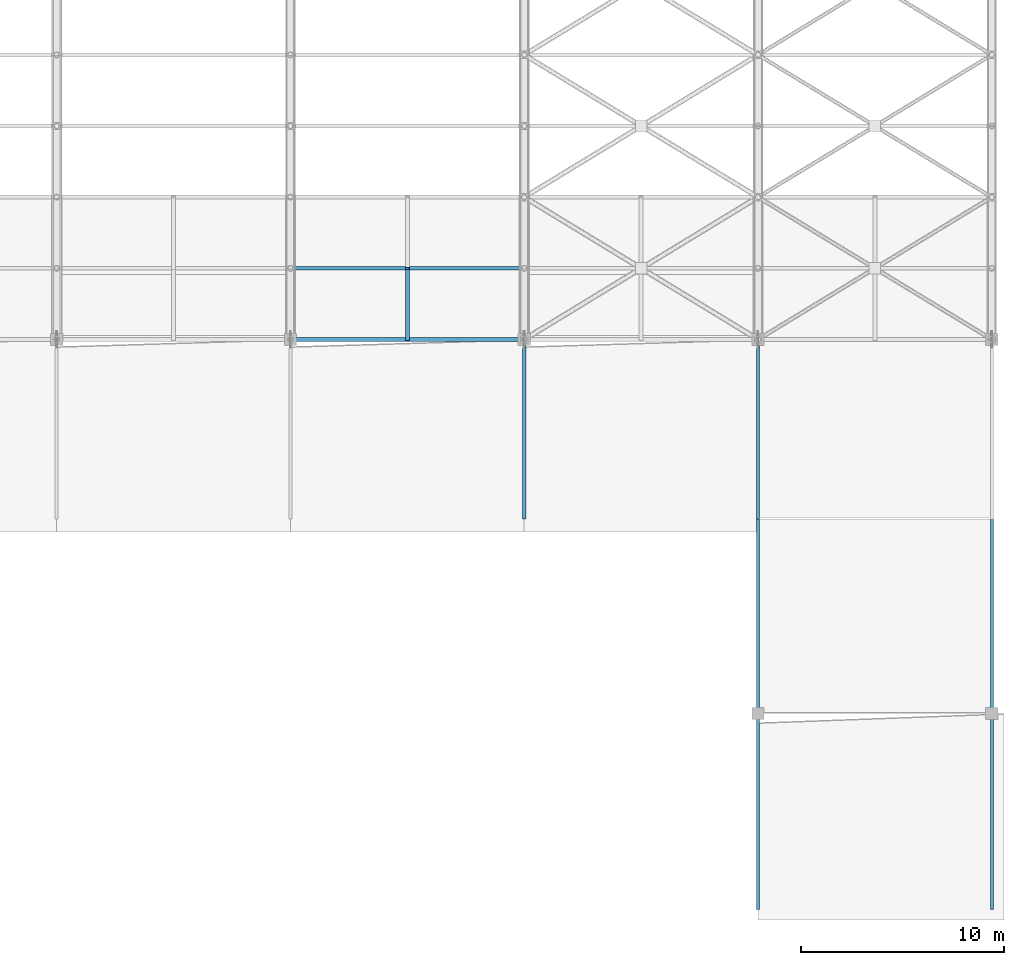
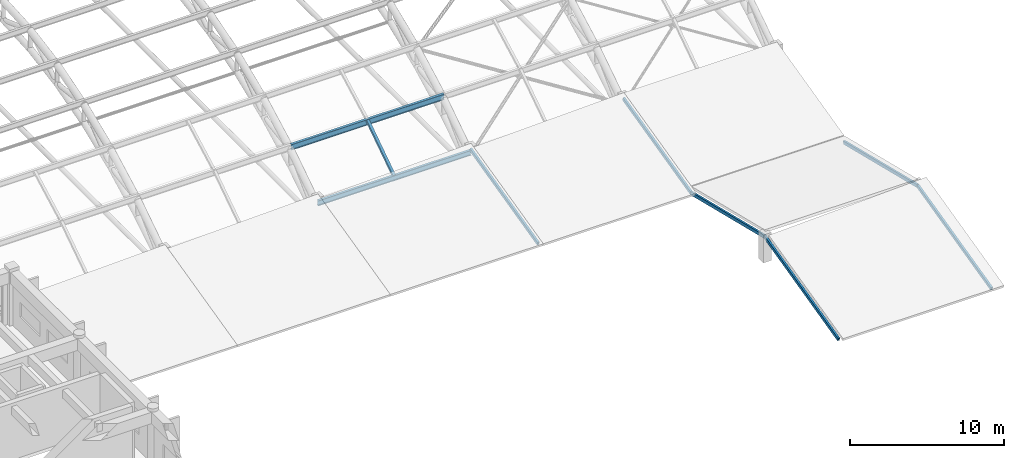
# One storey, part 95 of 154: 9 members.
"""IFC4 building model written with IfcOpenShell, lengths in metres."""

from ifc_helpers import new_model, si_unit, direction, frame, origin, origin_2d, place, context, subcontext, project, spatial, hollow_rectangle, i_section, extrude, material, material_profile, profile_set, type_object, element, save


model = new_model("IFC4")

# Units and contexts
model_context = context("Model", 3, precision=1e-05, world=origin(), true_north=direction((0.0, 1.0)))
body_context = subcontext(model_context, "Body", "Model", "MODEL_VIEW")
ifc_project = project(units=[si_unit("LENGTHUNIT", "METRE"), si_unit("AREAUNIT", "SQUARE_METRE"), si_unit("VOLUMEUNIT", "CUBIC_METRE"), si_unit("PLANEANGLEUNIT", "RADIAN"), si_unit("MASSUNIT", "GRAM", prefix="KILO")], contexts=[model_context])

# Site, building, storey
site_placement = place(None, origin())
site = spatial("IfcSite", under=ifc_project, at=site_placement, CompositionType="ELEMENT")
building_placement = place(site_placement, origin())
building = spatial("IfcBuilding", under=site, at=building_placement, Name="Ologun Quay Terminus", CompositionType="ELEMENT")
storey_placement = place(building_placement, frame((0.0, 0.0, 13.800048828125)))
storey = spatial("IfcBuildingStorey", under=building, at=storey_placement, Name="L03", CompositionType="ELEMENT", Elevation=13.800048828125)

# Members
ifc_material_1 = material(Name="Steel S355", Category="steel")
ifc_material_profile_1 = material_profile(ifc_material_1, hollow_rectangle(XDim=0.199951171875, YDim=0.199951171875, WallThickness=0.008056640625, at=origin_2d()), Name="SHS 200x200x8")
ifc_profile_set_1 = profile_set([ifc_material_profile_1], Name="Steel S355")
member_type_1 = type_object("IfcMemberType", Name="Skylight Cross Transom Bar RHS150", PredefinedType="STRUT", material=ifc_profile_set_1)
member_1_placement = place(storey_placement, frame((155.25, 36.0, 1.50341796875), z_axis=(0.0, 0.830398014247, 0.55717065423), x_axis=(-1.0, 0.0, 0.0)))
element("IfcMember", 1, at=member_1_placement, inside=storey, type_object=member_type_1, Name="SK2 Eave Secondary Rafter B14-P1", PredefinedType="STRUT", context=body_context, shape_type="SweptSolid", body=[
    extrude(hollow_rectangle(XDim=0.199951171875, YDim=0.199951171875, WallThickness=0.008056640625, at=origin_2d()), origin(), (0.0, 0.0, 1.0), 4.21484375),
])
ifc_material_2 = material(Name="Steel S355", Category="steel")
ifc_material_profile_2 = material_profile(ifc_material_2, hollow_rectangle(XDim=0.14990234375, YDim=0.25, WallThickness=0.008056640625, at=origin_2d()), Name="RHS 250x150x8")
ifc_profile_set_2 = profile_set([ifc_material_profile_2], Name="Steel S355")
member_type_2 = type_object("IfcMemberType", Name="Skylight Longitudinal Glazing Bar RHS200", PredefinedType="PURLIN", material=ifc_profile_set_2)
member_2_placement = place(storey_placement, frame((172.5, 8.0, -0.5224609375), z_axis=(0.0, 0.971319437027, 0.237778365821), x_axis=(-1.0, 0.0, 0.0)))
element("IfcMember", 2, at=member_2_placement, inside=storey, type_object=member_type_2, Name="SK1 Inclined Roof Rafter L03-SE-16-BC", PredefinedType="PURLIN", context=body_context, shape_type="SweptSolid", body=[
    extrude(hollow_rectangle(XDim=0.14990234375, YDim=0.25, WallThickness=0.008056640625, at=origin_2d()), origin(), (0.0, 0.0, 1.0), 9.883544921875),
])
member_3_placement = place(storey_placement, frame((172.5, 17.60009765625, 1.82763671875), z_axis=(0.0, 0.97131804038, -0.237784071023), x_axis=(-1.0, 0.0, 0.0)))
element("IfcMember", 3, at=member_3_placement, inside=storey, type_object=member_type_2, Name="SK1 Inclined Roof Rafter L03-SE-16-CD", PredefinedType="PURLIN", context=body_context, shape_type="SweptSolid", body=[
    extrude(hollow_rectangle(XDim=0.14990234375, YDim=0.25, WallThickness=0.008056640625, at=origin_2d()), origin(), (0.0, 0.0, 1.0), 9.88330078125),
])
member_4_placement = place(storey_placement, frame((172.5, 27.199951171875, -0.5224609375), z_axis=(0.0, 0.971430080393, 0.237325933914), x_axis=(-1.0, 0.0, 0.0)))
element("IfcMember", 4, at=member_4_placement, inside=storey, type_object=member_type_2, Name="SK1 Inclined Roof Rafter L03-SE-16-DE", PredefinedType="PURLIN", context=body_context, shape_type="SweptSolid", body=[
    extrude(hollow_rectangle(XDim=0.14990234375, YDim=0.25, WallThickness=0.008056640625, at=origin_2d()), origin(), (0.0, 0.0, 1.0), 9.058837890625),
])
member_5_placement = place(storey_placement, frame((184.0, 8.0, -0.5224609375), z_axis=(0.0, 0.971319437027, 0.237778365821), x_axis=(-1.0, 0.0, 0.0)))
element("IfcMember", 5, at=member_5_placement, inside=storey, type_object=member_type_2, Name="SK1 Inclined Roof Rafter L03-SE-17-BC", PredefinedType="PURLIN", context=body_context, shape_type="SweptSolid", body=[
    extrude(hollow_rectangle(XDim=0.14990234375, YDim=0.25, WallThickness=0.008056640625, at=origin_2d()), origin(), (0.0, 0.0, 1.0), 9.883544921875),
])
member_6_placement = place(storey_placement, frame((184.0, 17.60009765625, 1.82763671875), z_axis=(0.0, 0.97131804038, -0.237784071023), x_axis=(-1.0, 0.0, 0.0)))
element("IfcMember", 6, at=member_6_placement, inside=storey, type_object=member_type_2, Name="SK1 Inclined Roof Rafter L03-SE-17-CD", PredefinedType="PURLIN", context=body_context, shape_type="SweptSolid", body=[
    extrude(hollow_rectangle(XDim=0.14990234375, YDim=0.25, WallThickness=0.008056640625, at=origin_2d()), origin(), (0.0, 0.0, 1.0), 9.88330078125),
])
member_7_placement = place(storey_placement, frame((161.0, 27.199951171875, -0.5224609375), z_axis=(0.0, 0.971430080393, 0.237325933914), x_axis=(-1.0, 0.0, 0.0)))
element("IfcMember", 7, at=member_7_placement, inside=storey, type_object=member_type_2, Name="SK1 Inclined Roof Rafter L03-SEL-15-DE", PredefinedType="PURLIN", context=body_context, shape_type="SweptSolid", body=[
    extrude(hollow_rectangle(XDim=0.14990234375, YDim=0.25, WallThickness=0.008056640625, at=origin_2d()), origin(), (0.0, 0.0, 1.0), 9.058837890625),
])
ifc_material_3 = material(Name="Steel S355", Category="steel")
ifc_material_profile_3 = material_profile(ifc_material_3, i_section(OverallWidth=0.177978515625, OverallDepth=0.406494140625, WebThickness=0.0078125, FlangeThickness=0.0126953125, at=origin_2d()), Name="UKB 406x178x60")
ifc_profile_set_3 = profile_set([ifc_material_profile_3], Name="Steel S355")
member_type_3 = type_object("IfcMemberType", Name="Train Shed Eave & Ridge Purlin UKB406", PredefinedType="PURLIN", material=ifc_profile_set_3)
member_8_placement = place(storey_placement, frame((149.5, 36.0, 1.403076171875), z_axis=(1.0, 0.0, 0.0), x_axis=(0.0, 1.0, 0.0)))
element("IfcMember", 8, at=member_8_placement, inside=storey, type_object=member_type_3, Name="PR2 Roof Purlin B14-N0", PredefinedType="PURLIN", context=body_context, shape_type="SweptSolid", body=[
    extrude(i_section(OverallWidth=0.177978515625, OverallDepth=0.406494140625, WebThickness=0.0078125, FlangeThickness=0.0126953125, at=origin_2d()), origin(), (0.0, 0.0, 1.0), 11.5),
])
ifc_material_4 = material(Name="Steel S355", Category="steel")
ifc_material_profile_4 = material_profile(ifc_material_4, i_section(OverallWidth=0.1904296875, OverallDepth=0.45703125, WebThickness=0.009033203125, FlangeThickness=0.014404296875, at=origin_2d()), Name="UKB 457x191x74")
ifc_profile_set_4 = profile_set([ifc_material_profile_4], Name="Steel S355")
member_type_4 = type_object("IfcMemberType", Name="Train Shed Primary Roof Purlin UKB457", PredefinedType="PURLIN", material=ifc_profile_set_4)
member_9_placement = place(storey_placement, frame((149.5, 39.5, 3.726318359375), z_axis=(1.0, 0.0, 0.0), x_axis=(0.0, 1.0, 0.0)))
element("IfcMember", 9, at=member_9_placement, inside=storey, type_object=member_type_4, Name="PR1 Roof Purlin B14-N1", PredefinedType="PURLIN", context=body_context, shape_type="SweptSolid", body=[
    extrude(i_section(OverallWidth=0.1904296875, OverallDepth=0.45703125, WebThickness=0.009033203125, FlangeThickness=0.014404296875, at=origin_2d()), origin(), (0.0, 0.0, 1.0), 11.5),
])

save(model, "model.ifc")
